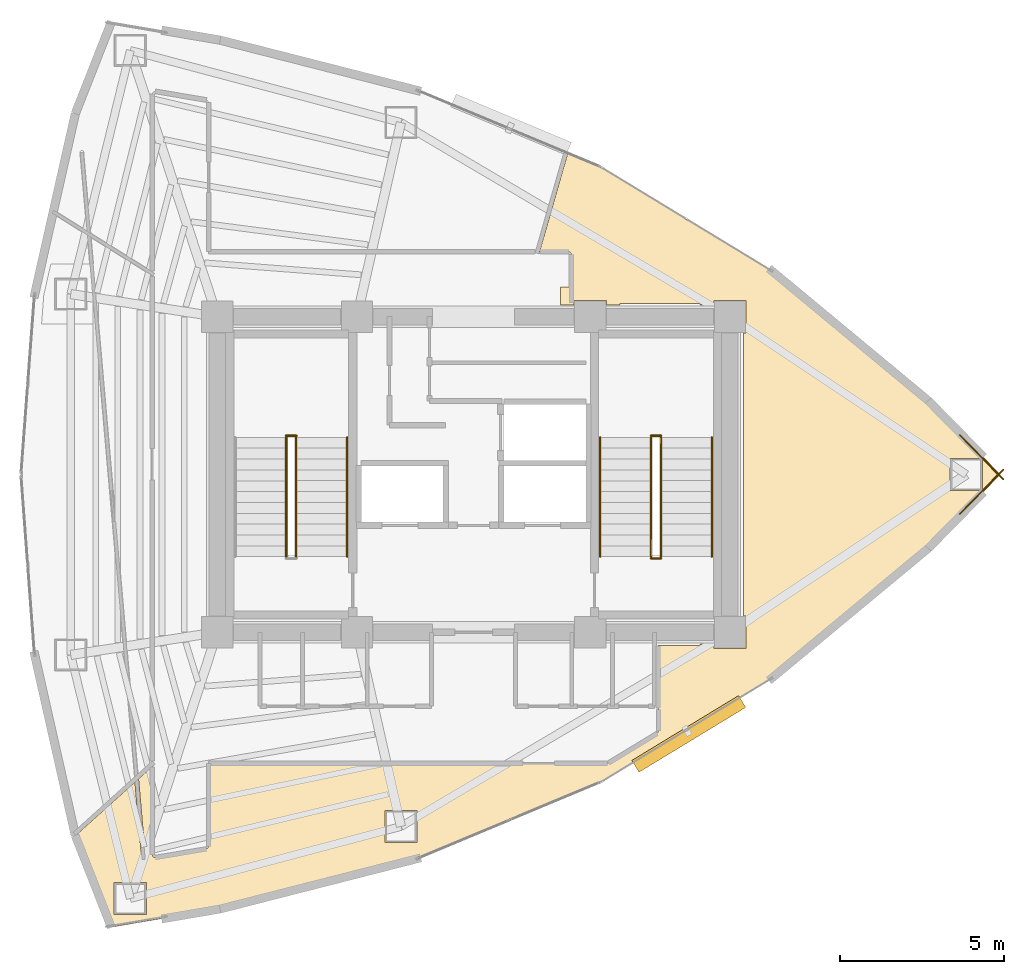
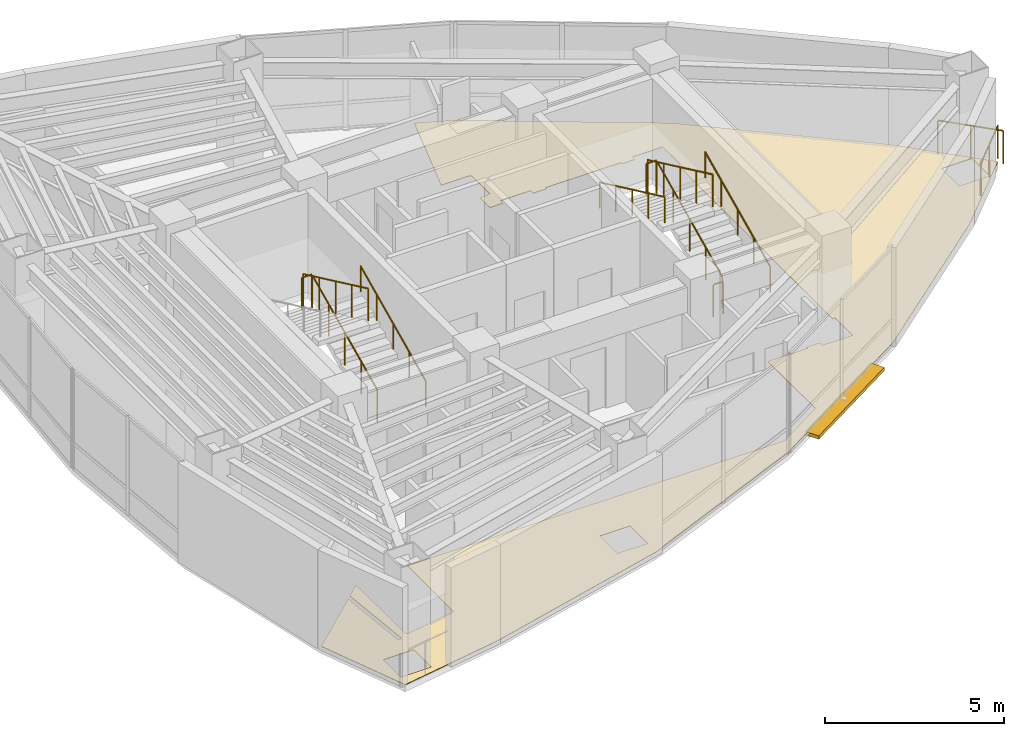
# One storey, part 15 of 16: 12 railings, 1 covering, 1 shading device.
"""IFC4 building model written with IfcOpenShell, lengths in metres."""

from ifc_helpers import new_model, si_unit, direction, frame, origin, origin_2d, place, context, subcontext, project, spatial, polyline, rectangle, circle, outline, extrude, material, layer, layer_set, type_object, element, save


model = new_model("IFC4")

# Units and contexts
model_context = context("Model", 3, precision=1e-05, world=origin(), true_north=direction((0.0, 1.0)))
body_context = subcontext(model_context, "Body", "Model", "MODEL_VIEW")
ifc_project = project(units=[si_unit("LENGTHUNIT", "METRE"), si_unit("AREAUNIT", "SQUARE_METRE"), si_unit("VOLUMEUNIT", "CUBIC_METRE"), si_unit("PLANEANGLEUNIT", "RADIAN"), si_unit("MASSUNIT", "GRAM", prefix="KILO")], contexts=[model_context])

# Site, building, storey
site_placement = place(None, origin())
site = spatial("IfcSite", under=ifc_project, at=site_placement, CompositionType="ELEMENT")
building_placement = place(site_placement, origin())
building = spatial("IfcBuilding", under=site, at=building_placement, Name="Menara Vayukalpa", CompositionType="ELEMENT")
storey_placement = place(building_placement, frame((0.0, 0.0, 210.1201171875)))
storey = spatial("IfcBuildingStorey", under=building, at=storey_placement, Name="L53", CompositionType="ELEMENT", Elevation=210.1201171875)

# Covering
ifc_material_1 = material(Name="Porcelain Stoneware Floor Tile", Category="masonry")
ifc_layer_1 = layer(ifc_material_1, 0.02001953125)
ifc_layer_set_1 = layer_set([ifc_layer_1], Name="Porcelain Stoneware Floor Tile")
covering_type = type_object("IfcCoveringType", Name="COV-FLR1", PredefinedType="FLOORING", material=ifc_layer_set_1)
covering_placement = place(storey_placement, origin())
element("IfcCovering", 1, at=covering_placement, inside=storey, type_object=covering_type, Name="L53 Open Plan Office Workplace Porcelain Flooring", PredefinedType="FLOORING", context=body_context, shape_type="SweptSolid", body=[
    extrude(outline(polyline([(32.909912109375, 16.85009765625), (32.909912109375, 16.7099609375), (33.889892578125, 16.7099609375), (33.889892578125, 17.68994140625), (33.81005859375, 17.68994140625), (33.81005859375, 26.31005859375), (33.889892578125, 26.31005859375), (33.889892578125, 27.2900390625), (32.909912109375, 27.2900390625), (32.909912109375, 27.14990234375), (32.489990234375, 27.14990234375), (32.489990234375, 27.2099609375), (30.06005859375, 27.2099609375), (30.06005859375, 27.14990234375), (29.639892578125, 27.14990234375), (29.639892578125, 27.2900390625), (28.659912109375, 27.2900390625), (28.659912109375, 27.14990234375), (28.239990234375, 27.14990234375), (28.239990234375, 27.7099609375), (28.570068359375, 27.7099609375), (28.570068359375, 28.69970703125), (28.569580078125, 28.706787109375), (28.568603515625, 28.713623046875), (28.56689453125, 28.72021484375), (28.564697265625, 28.726806640625), (28.561767578125, 28.73291015625), (28.55810546875, 28.73876953125), (28.553955078125, 28.744384765625), (28.549560546875, 28.74951171875), (28.54443359375, 28.75390625), (28.538818359375, 28.75830078125), (28.532958984375, 28.76171875), (28.52685546875, 28.7646484375), (28.520263671875, 28.76708984375), (28.513671875, 28.768798828125), (28.5068359375, 28.76953125), (28.499755859375, 28.77001953125), (27.616943359375, 28.77001953125), (27.615966796875, 28.77001953125), (27.614990234375, 28.770263671875), (27.614013671875, 28.7705078125), (27.61328125, 28.770751953125), (27.6123046875, 28.771240234375), (27.611572265625, 28.771728515625), (27.610595703125, 28.772216796875), (27.610107421875, 28.77294921875), (27.609375, 28.773681640625), (27.608642578125, 28.7744140625), (27.608154296875, 28.775146484375), (27.60791015625, 28.776123046875), (27.607421875, 28.777099609375), (27.607177734375, 28.77783203125), (27.607177734375, 28.77880859375), (27.60693359375, 28.77978515625), (27.60693359375, 28.78076171875), (27.607177734375, 28.78173828125), (27.607421875, 28.78271484375), (28.459228515625, 31.75390625), (28.459716796875, 31.754638671875), (28.4599609375, 31.755615234375), (28.46044921875, 31.756591796875), (28.461181640625, 31.75732421875), (28.4619140625, 31.758056640625), (28.46240234375, 31.7587890625), (28.46337890625, 31.75927734375), (28.464111328125, 31.759765625), (28.465087890625, 31.76025390625), (28.466064453125, 31.760498046875), (28.466796875, 31.7607421875), (28.468017578125, 31.760986328125), (28.468994140625, 31.760986328125), (28.469970703125, 31.760986328125), (28.470947265625, 31.7607421875), (28.4716796875, 31.760498046875), (28.472900390625, 31.76025390625), (29.478515625, 31.33935546875), (29.479248046875, 31.339111328125), (29.47998046875, 31.338623046875), (34.660888671875, 28.19140625), (34.662109375, 28.190673828125), (39.431884765625, 24.235107421875), (39.4326171875, 24.234375), (41.61962890625, 22.007080078125), (41.620361328125, 22.00634765625), (41.620849609375, 22.005615234375), (41.621337890625, 22.004638671875), (41.621826171875, 22.00390625), (41.6220703125, 22.0029296875), (41.622314453125, 22.001953125), (41.62255859375, 22.0009765625), (41.62255859375, 22.0), (41.62255859375, 21.9990234375), (41.622314453125, 21.998046875), (41.6220703125, 21.9970703125), (41.621826171875, 21.99609375), (41.621337890625, 21.995361328125), (41.620849609375, 21.994384765625), (41.620361328125, 21.99365234375), (41.61962890625, 21.992919921875), (39.4326171875, 19.765625), (39.431884765625, 19.764892578125), (34.662109375, 15.809326171875), (34.660888671875, 15.80859375), (29.47998046875, 12.661376953125), (29.479248046875, 12.660888671875), (29.478515625, 12.66064453125), (23.885986328125, 10.3212890625), (23.884765625, 10.32080078125), (17.8798828125, 8.789306640625), (17.879150390625, 8.7890625), (14.59423828125, 8.2314453125), (14.59326171875, 8.231201171875), (14.59228515625, 8.231201171875), (14.59130859375, 8.2314453125), (14.59033203125, 8.2314453125), (14.58935546875, 8.231689453125), (14.58837890625, 8.232177734375), (14.587646484375, 8.232666015625), (14.5869140625, 8.233154296875), (14.5859375, 8.233642578125), (14.585205078125, 8.234375), (14.584716796875, 8.235107421875), (14.583984375, 8.23583984375), (14.58349609375, 8.23681640625), (14.583251953125, 8.237548828125), (13.494140625, 11.010498046875), (13.493896484375, 11.011474609375), (13.49365234375, 11.012451171875), (13.493408203125, 11.01318359375), (13.493408203125, 11.014404296875), (13.49365234375, 11.015380859375), (13.49365234375, 11.01611328125), (13.493896484375, 11.01708984375), (13.494384765625, 11.01806640625), (13.49462890625, 11.018798828125), (13.4951171875, 11.019775390625), (13.49560546875, 11.0205078125), (13.496337890625, 11.021240234375), (13.4970703125, 11.02197265625), (13.498779296875, 11.023193359375), (15.280517578125, 12.62744140625), (15.28125, 12.6279296875), (15.281982421875, 12.628662109375), (15.28271484375, 12.62890625), (15.28369140625, 12.62939453125), (15.28466796875, 12.629638671875), (15.28564453125, 12.6298828125), (15.28662109375, 12.6298828125), (15.28759765625, 12.6298828125), (15.288330078125, 12.6298828125), (15.289306640625, 12.629638671875), (15.290283203125, 12.62939453125), (15.291259765625, 12.629150390625), (15.2919921875, 12.628662109375), (15.29296875, 12.628173828125), (15.293701171875, 12.627685546875), (15.294189453125, 12.626953125), (15.294921875, 12.626220703125), (15.29541015625, 12.62548828125), (15.2958984375, 12.62451171875), (15.29638671875, 12.623779296875), (15.296630859375, 12.622802734375), (15.296875, 12.621826171875), (15.297119140625, 12.620849609375), (15.501953125, 10.279052734375), (15.502685546875, 10.27294921875), (15.504150390625, 10.26708984375), (15.506103515625, 10.26171875), (15.508544921875, 10.256103515625), (15.511474609375, 10.251220703125), (15.514892578125, 10.246337890625), (15.518798828125, 10.241943359375), (15.523193359375, 10.238037109375), (15.52783203125, 10.234619140625), (15.532958984375, 10.2314453125), (15.5380859375, 10.228759765625), (15.543701171875, 10.226806640625), (15.54931640625, 10.225341796875), (15.55517578125, 10.224365234375), (15.56103515625, 10.22412109375), (15.56689453125, 10.22412109375), (15.57275390625, 10.22509765625), (15.57861328125, 10.226318359375), (15.583984375, 10.228271484375), (15.589599609375, 10.230712890625), (15.594482421875, 10.233642578125), (15.599365234375, 10.2373046875), (15.603759765625, 10.2412109375), (15.607666015625, 10.245361328125), (15.611083984375, 10.25), (15.6142578125, 10.255126953125), (15.616943359375, 10.260498046875), (15.618896484375, 10.26611328125), (15.62060546875, 10.271484375), (15.621337890625, 10.27734375), (15.62158203125, 10.283203125), (15.62158203125, 10.28955078125), (15.407470703125, 12.736328125), (15.407470703125, 12.737548828125), (15.407470703125, 12.738525390625), (15.40771484375, 12.739501953125), (15.407958984375, 12.740478515625), (15.408203125, 12.741455078125), (15.40869140625, 12.7421875), (15.4091796875, 12.7431640625), (15.409912109375, 12.743896484375), (15.41064453125, 12.74462890625), (15.813232421875, 13.107421875), (15.814208984375, 13.10791015625), (15.81494140625, 13.1083984375), (15.81591796875, 13.10888671875), (15.816650390625, 13.109375), (15.817626953125, 13.109619140625), (15.818603515625, 13.10986328125), (15.819580078125, 13.10986328125), (15.82080078125, 13.10986328125), (15.82177734375, 13.10986328125), (15.82275390625, 13.109619140625), (15.823486328125, 13.109130859375), (15.824462890625, 13.10888671875), (15.825439453125, 13.1083984375), (15.826171875, 13.107666015625), (15.826904296875, 13.107177734375), (15.82763671875, 13.1064453125), (15.828125, 13.105712890625), (15.828857421875, 13.104736328125), (15.8291015625, 13.103759765625), (15.82958984375, 13.102783203125), (15.829833984375, 13.101806640625), (15.829833984375, 13.100830078125), (15.830078125, 13.099853515625), (15.830078125, 10.421142578125), (15.830322265625, 10.414306640625), (15.831298828125, 10.407470703125), (15.8330078125, 10.40087890625), (15.835205078125, 10.39453125), (15.837890625, 10.388427734375), (15.841552734375, 10.382568359375), (15.845458984375, 10.376953125), (15.849853515625, 10.3720703125), (15.854736328125, 10.367431640625), (15.860107421875, 10.36328125), (15.865966796875, 10.35986328125), (15.8720703125, 10.356689453125), (15.87841796875, 10.354248046875), (15.884765625, 10.3525390625), (15.8916015625, 10.351318359375), (15.898193359375, 10.350830078125), (15.905029296875, 10.35107421875), (15.912109375, 10.351806640625), (17.471435546875, 10.61669921875), (17.478515625, 10.6181640625), (17.485107421875, 10.62060546875), (17.49169921875, 10.623291015625), (17.497802734375, 10.626708984375), (17.50341796875, 10.630859375), (17.508544921875, 10.635498046875), (17.513427734375, 10.640625), (17.517822265625, 10.646240234375), (17.521484375, 10.652099609375), (17.5244140625, 10.658447265625), (17.52685546875, 10.664794921875), (17.528564453125, 10.671875), (17.529541015625, 10.6787109375), (17.530029296875, 10.685791015625), (17.530029296875, 13.2099609375), (17.530029296875, 13.2109375), (17.5302734375, 13.2119140625), (17.530517578125, 13.212890625), (17.53076171875, 13.2138671875), (17.53125, 13.214599609375), (17.53173828125, 13.215576171875), (17.5322265625, 13.21630859375), (17.532958984375, 13.217041015625), (17.53369140625, 13.2177734375), (17.534423828125, 13.21826171875), (17.535400390625, 13.21875), (17.5361328125, 13.21923828125), (17.537109375, 13.219482421875), (17.5380859375, 13.2197265625), (17.5390625, 13.219970703125), (17.5400390625, 13.219970703125), (29.667236328125, 13.219970703125), (29.673828125, 13.22021484375), (29.68017578125, 13.22119140625), (29.686279296875, 13.22265625), (29.6923828125, 13.224609375), (29.6982421875, 13.22705078125), (29.7041015625, 13.230224609375), (31.18603515625, 14.130615234375), (31.1923828125, 14.134765625), (31.19775390625, 14.139404296875), (31.20263671875, 14.14453125), (31.20703125, 14.150146484375), (31.2109375, 14.15625), (31.214111328125, 14.16259765625), (31.216552734375, 14.16943359375), (31.218505859375, 14.176513671875), (31.219482421875, 14.183349609375), (31.219970703125, 14.19091796875), (31.219970703125, 14.849609375), (31.219482421875, 14.856689453125), (31.21875, 14.86376953125), (31.217041015625, 14.870361328125), (31.214599609375, 14.876708984375), (31.2119140625, 14.8828125), (31.211669921875, 14.883056640625), (31.211181640625, 14.8837890625), (31.210693359375, 14.884765625), (31.21044921875, 14.8857421875), (31.210205078125, 14.88671875), (31.2099609375, 14.8876953125), (31.2099609375, 14.888671875), (31.2099609375, 16.780029296875), (31.2099609375, 16.781005859375), (31.210205078125, 16.781982421875), (31.21044921875, 16.782958984375), (31.210693359375, 16.78369140625), (31.211181640625, 16.78466796875), (31.211669921875, 16.78564453125), (31.21240234375, 16.786376953125), (31.212890625, 16.787109375), (31.213623046875, 16.78759765625), (31.21435546875, 16.788330078125), (31.21533203125, 16.788818359375), (31.21630859375, 16.789306640625), (31.217041015625, 16.78955078125), (31.218017578125, 16.789794921875), (31.218994140625, 16.7900390625), (31.219970703125, 16.7900390625), (32.489990234375, 16.7900390625), (32.489990234375, 16.85009765625), (32.909912109375, 16.85009765625)]), holes=[polyline([(14.664794921875, 9.58740234375), (14.664794921875, 8.607421875), (15.644775390625, 8.607421875), (15.644775390625, 9.58740234375), (14.664794921875, 9.58740234375)]), polyline([(23.87939453125, 11.781494140625), (22.8994140625, 11.781494140625), (22.8994140625, 10.801513671875), (23.87939453125, 10.801513671875), (23.87939453125, 11.781494140625)]), polyline([(41.08056640625, 22.489990234375), (40.1005859375, 22.489990234375), (40.1005859375, 21.510009765625), (41.08056640625, 21.510009765625), (41.08056640625, 22.489990234375)])]), origin(), (0.0, 0.0, 1.0), 0.019775390625),
])

# Railings
ifc_material_2 = material(Name="Laminated Glass and Stainless Steel 316 Guardrail", Category="steel")
railing_type_1 = type_object("IfcRailingType", Name="RLG-EXT115", PredefinedType="GUARDRAIL", material=ifc_material_2)
railing_1_placement = place(storey_placement, frame((40.392333984375, 20.800048828125, 0.0)))
element("IfcRailing", 2, at=railing_1_placement, inside=storey, type_object=railing_type_1, Name="L53 Column Corner Spandrel Guardrail 01-1", PredefinedType="GUARDRAIL", context=body_context, shape_type="SweptSolid", body=[
    extrude(circle(Radius=0.02392578125, at=origin_2d()), frame((0.0, 0.0, 1.1259765625), z_axis=(0.700555409966, 0.713598008382, 0.0), x_axis=(-0.713598008382, 0.700555409966, 0.0)), (0.0, 0.0, 1.0), 1.890625),
    extrude(circle(Radius=0.02099609375, at=origin_2d()), origin(), (0.0, 0.0, 1.0), 1.101806640625),
    extrude(circle(Radius=0.02099609375, at=origin_2d()), frame((0.662109375, 0.674560546875, 0.0)), (0.0, 0.0, 1.0), 1.101806640625),
    extrude(circle(Radius=0.02099609375, at=origin_2d()), frame((1.324462890625, 1.34912109375, 0.0)), (0.0, 0.0, 1.0), 1.101806640625),
])
railing_2_placement = place(storey_placement, frame((41.716796875, 21.850830078125, 0.0)))
element("IfcRailing", 3, at=railing_2_placement, inside=storey, type_object=railing_type_1, Name="L53 Column Corner Spandrel Guardrail 02-1", PredefinedType="GUARDRAIL", context=body_context, shape_type="SweptSolid", body=[
    extrude(circle(Radius=0.02392578125, at=origin_2d()), frame((0.0, 0.0, 1.1259765625), z_axis=(-0.700555409966, 0.713598008382, 0.0), x_axis=(-0.713598008382, -0.700555409966, 0.0)), (0.0, 0.0, 1.0), 1.890625),
    extrude(circle(Radius=0.02099609375, at=origin_2d()), origin(), (0.0, 0.0, 1.0), 1.101806640625),
    extrude(circle(Radius=0.02099609375, at=origin_2d()), frame((-0.662109375, 0.674560546875, 0.0)), (0.0, 0.0, 1.0), 1.101806640625),
    extrude(circle(Radius=0.02099609375, at=origin_2d()), frame((-1.324462890625, 1.34912109375, 0.0)), (0.0, 0.0, 1.0), 1.101806640625),
])
ifc_material_3 = material(Name="Powder-Coated Galvanised Steel Guardrail", Category="steel")
railing_type_2 = type_object("IfcRailingType", Name="RLG-STG110", PredefinedType="GUARDRAIL", material=ifc_material_3)
railing_3_placement = place(storey_placement, frame((20.199951171875, 19.5, 0.15478515625)))
element("IfcRailing", 4, at=railing_3_placement, inside=storey, type_object=railing_type_2, Name="L53 ST-1 stair guard 1", PredefinedType="GUARDRAIL", context=body_context, shape_type="SweptSolid", body=[
    extrude(circle(Radius=0.02392578125, at=origin_2d()), frame((0.0, 0.0, 1.09619140625), z_axis=(0.0, 0.90511648382, 0.425163675209), x_axis=(-1.0, 0.0, 0.0)), (0.0, 0.0, 1.0), 4.010498046875),
    extrude(circle(Radius=0.02099609375, at=origin_2d()), origin(), (0.0, 0.0, 1.0), 1.072021484375),
    extrude(circle(Radius=0.02099609375, at=origin_2d()), frame((0.0, 0.907470703125, 0.42626953125)), (0.0, 0.0, 1.0), 1.072021484375),
    extrude(circle(Radius=0.02099609375, at=origin_2d()), frame((0.0, 1.81494140625, 0.8525390625)), (0.0, 0.0, 1.0), 1.072021484375),
    extrude(circle(Radius=0.02099609375, at=origin_2d()), frame((0.0, 2.722412109375, 1.27880859375)), (0.0, 0.0, 1.0), 1.072021484375),
    extrude(circle(Radius=0.02099609375, at=origin_2d()), frame((0.0, 3.6298828125, 1.705078125)), (0.0, 0.0, 1.0), 1.072021484375),
])
railing_4_placement = place(storey_placement, frame((20.2099609375, 23.179931640625, 1.85986328125)))
element("IfcRailing", 5, at=railing_4_placement, inside=storey, type_object=railing_type_2, Name="L53 ST-1 stair guard 2", PredefinedType="GUARDRAIL", context=body_context, shape_type="SweptSolid", body=[
    extrude(circle(Radius=0.02392578125, at=origin_2d()), frame((0.0, 0.0, 1.09619140625), z_axis=(-1.0, 0.0, 0.0), x_axis=(0.0, -1.0, 0.0)), (0.0, 0.0, 1.0), 0.320068359375),
    extrude(circle(Radius=0.02099609375, at=origin_2d()), origin(), (0.0, 0.0, 1.0), 1.072021484375),
    extrude(circle(Radius=0.02099609375, at=origin_2d()), frame((-0.320068359375, 0.0, 0.0)), (0.0, 0.0, 1.0), 1.072021484375),
])
railing_5_placement = place(storey_placement, frame((19.89990234375, 23.1298828125, 2.014892578125)))
element("IfcRailing", 6, at=railing_5_placement, inside=storey, type_object=railing_type_2, Name="L53 ST-1 stair guard 3", PredefinedType="GUARDRAIL", context=body_context, shape_type="SweptSolid", body=[
    extrude(circle(Radius=0.02392578125, at=origin_2d()), frame((0.0, 0.0, 1.09619140625), z_axis=(0.0, -0.90511648382, 0.425163675209), x_axis=(1.0, 0.0, 0.0)), (0.0, 0.0, 1.0), 4.010498046875),
    extrude(circle(Radius=0.02099609375, at=origin_2d()), origin(), (0.0, 0.0, 1.0), 1.072021484375),
    extrude(circle(Radius=0.02099609375, at=origin_2d()), frame((0.0, -0.907470703125, 0.42626953125)), (0.0, 0.0, 1.0), 1.072021484375),
    extrude(circle(Radius=0.02099609375, at=origin_2d()), frame((0.0, -1.81494140625, 0.8525390625)), (0.0, 0.0, 1.0), 1.072021484375),
    extrude(circle(Radius=0.02099609375, at=origin_2d()), frame((0.0, -2.722412109375, 1.27880859375)), (0.0, 0.0, 1.0), 1.072021484375),
    extrude(circle(Radius=0.02099609375, at=origin_2d()), frame((0.0, -3.6298828125, 1.705078125)), (0.0, 0.0, 1.0), 1.072021484375),
])
railing_6_placement = place(storey_placement, frame((31.300048828125, 19.5, 0.15478515625)))
element("IfcRailing", 7, at=railing_6_placement, inside=storey, type_object=railing_type_2, Name="L53 ST-2 stair guard 1", PredefinedType="GUARDRAIL", context=body_context, shape_type="SweptSolid", body=[
    extrude(circle(Radius=0.02392578125, at=origin_2d()), frame((0.0, 0.0, 1.09619140625), z_axis=(0.0, 0.90511648382, 0.425163675209), x_axis=(-1.0, 0.0, 0.0)), (0.0, 0.0, 1.0), 4.010498046875),
    extrude(circle(Radius=0.02099609375, at=origin_2d()), origin(), (0.0, 0.0, 1.0), 1.072021484375),
    extrude(circle(Radius=0.02099609375, at=origin_2d()), frame((0.0, 0.907470703125, 0.42626953125)), (0.0, 0.0, 1.0), 1.072021484375),
    extrude(circle(Radius=0.02099609375, at=origin_2d()), frame((0.0, 1.81494140625, 0.8525390625)), (0.0, 0.0, 1.0), 1.072021484375),
    extrude(circle(Radius=0.02099609375, at=origin_2d()), frame((0.0, 2.722412109375, 1.27880859375)), (0.0, 0.0, 1.0), 1.072021484375),
    extrude(circle(Radius=0.02099609375, at=origin_2d()), frame((0.0, 3.6298828125, 1.705078125)), (0.0, 0.0, 1.0), 1.072021484375),
])
railing_7_placement = place(storey_placement, frame((31.31005859375, 23.179931640625, 1.85986328125)))
element("IfcRailing", 8, at=railing_7_placement, inside=storey, type_object=railing_type_2, Name="L53 ST-2 stair guard 2", PredefinedType="GUARDRAIL", context=body_context, shape_type="SweptSolid", body=[
    extrude(circle(Radius=0.02392578125, at=origin_2d()), frame((0.0, 0.0, 1.09619140625), z_axis=(-1.0, 0.0, 0.0), x_axis=(0.0, -1.0, 0.0)), (0.0, 0.0, 1.0), 0.320068359375),
    extrude(circle(Radius=0.02099609375, at=origin_2d()), origin(), (0.0, 0.0, 1.0), 1.072021484375),
    extrude(circle(Radius=0.02099609375, at=origin_2d()), frame((-0.320068359375, 0.0, 0.0)), (0.0, 0.0, 1.0), 1.072021484375),
])
railing_8_placement = place(storey_placement, frame((31.0, 23.1298828125, 2.014892578125)))
element("IfcRailing", 9, at=railing_8_placement, inside=storey, type_object=railing_type_2, Name="L53 ST-2 stair guard 3", PredefinedType="GUARDRAIL", context=body_context, shape_type="SweptSolid", body=[
    extrude(circle(Radius=0.02392578125, at=origin_2d()), frame((0.0, 0.0, 1.09619140625), z_axis=(0.0, -0.90511648382, 0.425163675209), x_axis=(1.0, 0.0, 0.0)), (0.0, 0.0, 1.0), 4.010498046875),
    extrude(circle(Radius=0.02099609375, at=origin_2d()), origin(), (0.0, 0.0, 1.0), 1.072021484375),
    extrude(circle(Radius=0.02099609375, at=origin_2d()), frame((0.0, -0.907470703125, 0.42626953125)), (0.0, 0.0, 1.0), 1.072021484375),
    extrude(circle(Radius=0.02099609375, at=origin_2d()), frame((0.0, -1.81494140625, 0.8525390625)), (0.0, 0.0, 1.0), 1.072021484375),
    extrude(circle(Radius=0.02099609375, at=origin_2d()), frame((0.0, -2.722412109375, 1.27880859375)), (0.0, 0.0, 1.0), 1.072021484375),
    extrude(circle(Radius=0.02099609375, at=origin_2d()), frame((0.0, -3.6298828125, 1.705078125)), (0.0, 0.0, 1.0), 1.072021484375),
])
railing_9_placement = place(storey_placement, frame((31.31005859375, 19.449951171875, 0.0)))
element("IfcRailing", 10, at=railing_9_placement, inside=storey, type_object=railing_type_2, Name="L53 ST-2 stair guard 4", PredefinedType="GUARDRAIL", context=body_context, shape_type="SweptSolid", body=[
    extrude(circle(Radius=0.02392578125, at=origin_2d()), frame((0.0, 0.0, 1.09619140625), z_axis=(-1.0, 0.0, 0.0), x_axis=(0.0, -1.0, 0.0)), (0.0, 0.0, 1.0), 0.320068359375),
    extrude(circle(Radius=0.02099609375, at=origin_2d()), origin(), (0.0, 0.0, 1.0), 1.072021484375),
    extrude(circle(Radius=0.02099609375, at=origin_2d()), frame((-0.320068359375, 0.0, 0.0)), (0.0, 0.0, 1.0), 1.072021484375),
])
ifc_material_4 = material(Name="Stainless Steel 316 Tubular Handrail", Category="steel")
railing_type_3 = type_object("IfcRailingType", Name="RLG-STH090", PredefinedType="HANDRAIL", material=ifc_material_4)
for number, where, name in (
    (11, (21.75, 19.5, 0.15478515625), "L53 ST-1 stair handrail 1"),
    (12, (32.85009765625, 19.5, 0.15478515625), "L53 ST-2 stair handrail 1"),
):
    element("IfcRailing", number, at=place(storey_placement, frame(where)), inside=storey, type_object=railing_type_3, Name=name, PredefinedType="HANDRAIL", context=body_context, shape_type="SweptSolid", body=[
        extrude(circle(Radius=0.02392578125, at=origin_2d()), frame((0.0, 0.0, 0.8759765625), z_axis=(0.0, 0.90511648382, 0.425163675209), x_axis=(-1.0, 0.0, 0.0)), (0.0, 0.0, 1.0), 4.010498046875),
        extrude(circle(Radius=0.02099609375, at=origin_2d()), origin(), (0.0, 0.0, 1.0), 0.851806640625),
        extrude(circle(Radius=0.02099609375, at=origin_2d()), frame((0.0, 0.907470703125, 0.42626953125)), (0.0, 0.0, 1.0), 0.851806640625),
        extrude(circle(Radius=0.02099609375, at=origin_2d()), frame((0.0, 1.81494140625, 0.8525390625)), (0.0, 0.0, 1.0), 0.851806640625),
        extrude(circle(Radius=0.02099609375, at=origin_2d()), frame((0.0, 2.722412109375, 1.27880859375)), (0.0, 0.0, 1.0), 0.851806640625),
        extrude(circle(Radius=0.02099609375, at=origin_2d()), frame((0.0, 3.6298828125, 1.705078125)), (0.0, 0.0, 1.0), 0.851806640625),
    ])
railing_10_placement = place(storey_placement, frame((29.449951171875, 23.1298828125, 2.014892578125)))
element("IfcRailing", 13, at=railing_10_placement, inside=storey, type_object=railing_type_3, Name="L53 ST-2 stair handrail 2", PredefinedType="HANDRAIL", context=body_context, shape_type="SweptSolid", body=[
    extrude(circle(Radius=0.02392578125, at=origin_2d()), frame((0.0, 0.0, 0.8759765625), z_axis=(0.0, -0.90511648382, 0.425163675209), x_axis=(1.0, 0.0, 0.0)), (0.0, 0.0, 1.0), 4.010498046875),
    extrude(circle(Radius=0.02099609375, at=origin_2d()), origin(), (0.0, 0.0, 1.0), 0.851806640625),
    extrude(circle(Radius=0.02099609375, at=origin_2d()), frame((0.0, -0.907470703125, 0.42626953125)), (0.0, 0.0, 1.0), 0.851806640625),
    extrude(circle(Radius=0.02099609375, at=origin_2d()), frame((0.0, -1.81494140625, 0.8525390625)), (0.0, 0.0, 1.0), 0.851806640625),
    extrude(circle(Radius=0.02099609375, at=origin_2d()), frame((0.0, -2.722412109375, 1.27880859375)), (0.0, 0.0, 1.0), 0.851806640625),
    extrude(circle(Radius=0.02099609375, at=origin_2d()), frame((0.0, -3.6298828125, 1.705078125)), (0.0, 0.0, 1.0), 0.851806640625),
])

# Shading device
ifc_material_5 = material(Name="Glazed Terracotta Ceramic Baguette Extrusion", Category="masonry")
ifc_layer_2 = layer(ifc_material_5, 0.1201171875)
ifc_layer_set_2 = layer_set([ifc_layer_2], Name="Glazed Terracotta Ceramic Baguette Extrusion")
shading_device_type = type_object("IfcShadingDeviceType", Name="SHD-SS1", PredefinedType="USERDEFINED", material=ifc_layer_set_2)
shading_device_placement = place(storey_placement, frame((32.148193359375, 14.106689453125, -0.10009765625), z_axis=(0.0, 0.0, 1.0), x_axis=(0.85466730962, 0.519176068272, 0.0)))
element("IfcShadingDevice", 14, at=shading_device_placement, inside=storey, type_object=shading_device_type, Name="L53 Horizontal Terracotta Sunshade Band 17", ObjectType="SUNSHADE", PredefinedType="USERDEFINED", context=body_context, shape_type="SweptSolid", body=[
    extrude(rectangle(XDim=3.800048828125, YDim=0.419921875, at=origin_2d()), origin(), (0.0, 0.0, 1.0), 0.1201171875),
])

save(model, "model.ifc")
